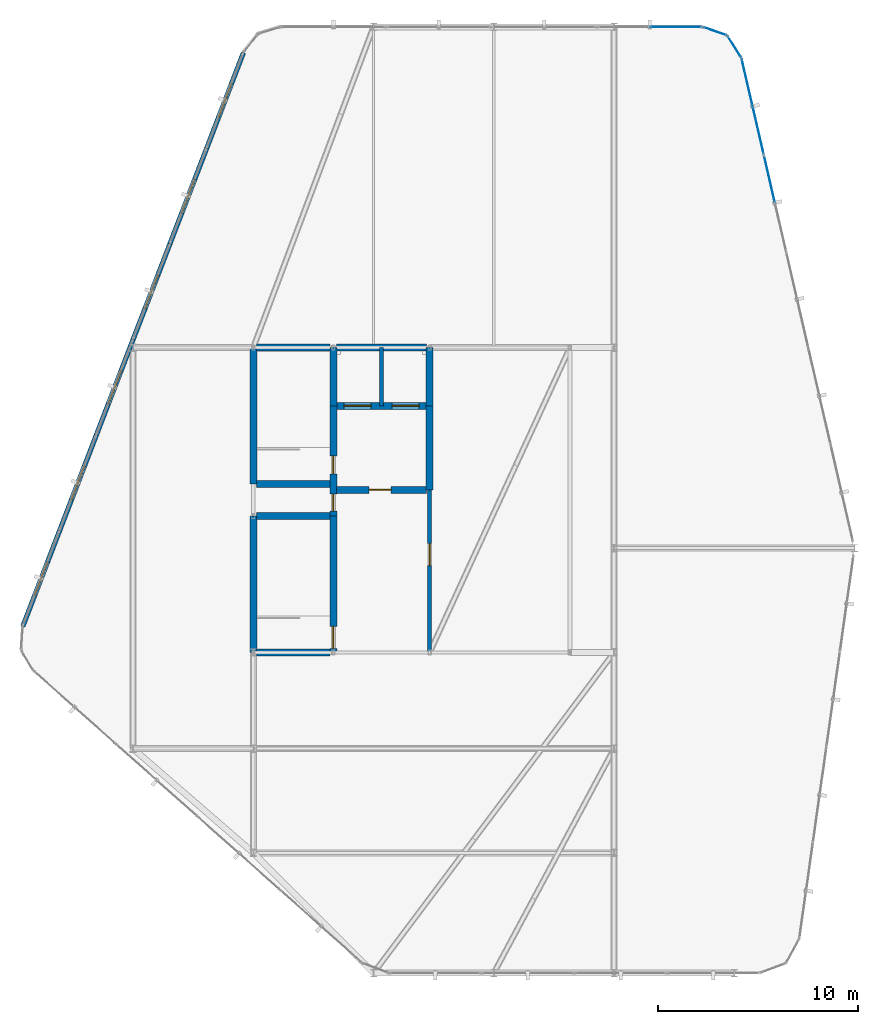
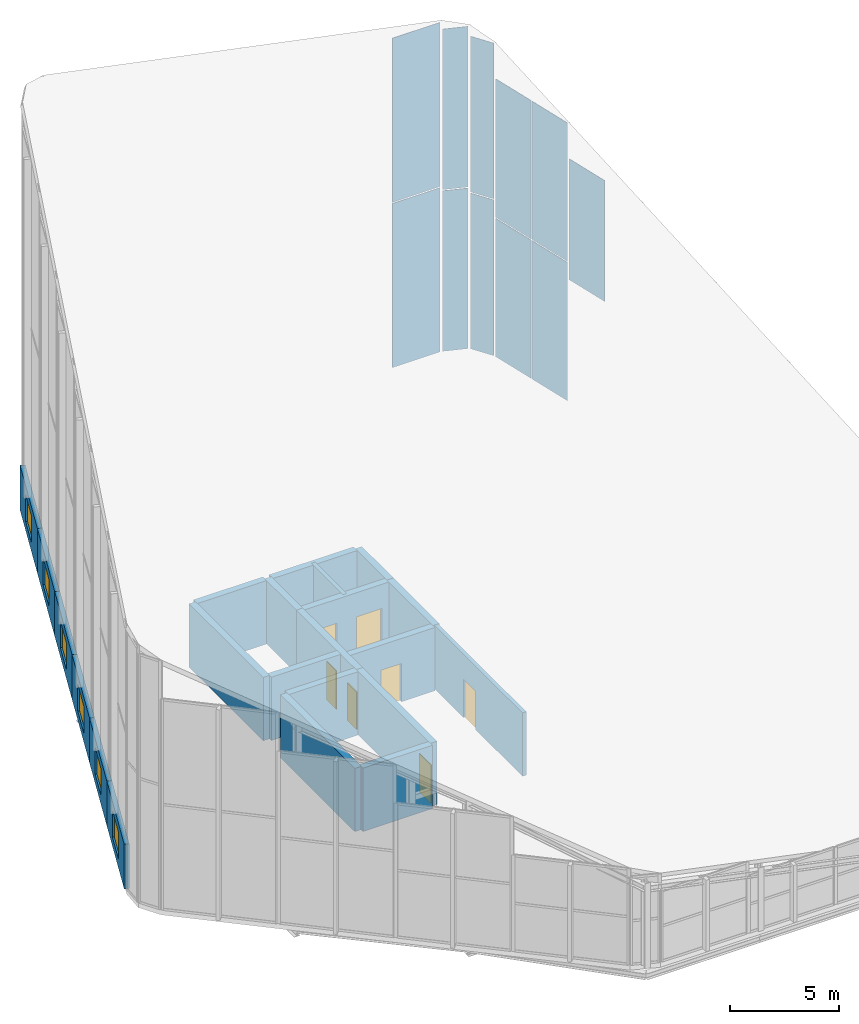
# One storey, part 73 of 74: 22 walls, 11 plates, 7 doors, 6 windows, 13 openings, 5 elements without a shape of their own.
"""IFC4 building model written with IfcOpenShell, lengths in metres."""

from ifc_helpers import new_model, si_unit, direction, frame, frame_2d, origin, origin_2d, place, context, subcontext, project, spatial, rectangle, extrude, material, layer, layer_set, type_object, element, fill, aggregate, save


model = new_model("IFC4")

# Units and contexts
model_context = context("Model", 3, precision=1e-05, world=origin(), true_north=direction((0.0, 1.0)))
body_context = subcontext(model_context, "Body", "Model", "MODEL_VIEW")
ifc_project = project(units=[si_unit("LENGTHUNIT", "METRE"), si_unit("AREAUNIT", "SQUARE_METRE"), si_unit("VOLUMEUNIT", "CUBIC_METRE"), si_unit("PLANEANGLEUNIT", "RADIAN"), si_unit("MASSUNIT", "GRAM", prefix="KILO")], contexts=[model_context])

# Site, building, storey
site_placement = place(None, origin())
site = spatial("IfcSite", under=ifc_project, at=site_placement, CompositionType="ELEMENT")
building_placement = place(site_placement, origin())
building = spatial("IfcBuilding", under=site, at=building_placement, Name="Keshet Zoharim Tower", CompositionType="ELEMENT")
storey_placement = place(building_placement, frame((0.0, 0.0, 320.0)))
storey = spatial("IfcBuildingStorey", under=building, at=storey_placement, Name="RF", CompositionType="ELEMENT", Elevation=320.0)

# Curtain wall, plates
ifc_material_1 = material(Name="Aluminium 6063-T6", Category="aluminium")
ifc_layer_1 = layer(ifc_material_1, 0.260009765625)
ifc_layer_set_1 = layer_set([ifc_layer_1], Name="Aluminium 6063-T6")
curtain_wall_type = type_object("IfcCurtainWallType", Name="CW-SYS-06", PredefinedType="NOTDEFINED", material=ifc_layer_set_1)
curtain_wall_1_placement = place(storey_placement, origin())
curtain_wall_1 = element("IfcCurtainWall", 1, at=curtain_wall_1_placement, inside=storey, type_object=curtain_wall_type, Name="Slanted Crown Curtain Wall 14", PredefinedType="NOTDEFINED")
ifc_material_2 = material(Name="Insulated Low-E Clear Glass", Category="glass")
ifc_layer_2 = layer(ifc_material_2, 0.028076171875)
ifc_layer_set_2 = layer_set([ifc_layer_2], Name="Insulated Low-E Clear Glass")
plate_type = type_object("IfcPlateType", Name="CWP-03", PredefinedType="CURTAIN_PANEL", material=ifc_layer_set_2)
plate_1_placement = place(storey_placement, frame((36.077880859375, 53.89990234375, 0.06494140625), z_axis=(0.0, 0.0, 1.0), x_axis=(1.0, 0.0, 0.0)))
plate_1 = element("IfcPlate", 2, at=plate_1_placement, type_object=plate_type, Name="CW-06 panel 2.1", PredefinedType="CURTAIN_PANEL", context=body_context, shape_type="SweptSolid", body=[
    extrude(rectangle(XDim=2.531982421875, YDim=0.028076171875, at=origin_2d()), origin(), (0.0, 0.0, 1.0), 9.189453125),
])
plate_2_placement = place(storey_placement, frame((36.077880859375, 53.89990234375, 9.319580078125), z_axis=(0.0, 0.0, 1.0), x_axis=(1.0, 0.0, 0.0)))
plate_2 = element("IfcPlate", 3, at=plate_2_placement, type_object=plate_type, Name="CW-06 panel 2.2", PredefinedType="CURTAIN_PANEL", context=body_context, shape_type="SweptSolid", body=[
    extrude(rectangle(XDim=2.531982421875, YDim=0.028076171875, at=origin_2d()), origin(), (0.0, 0.0, 1.0), 9.189453125),
])
aggregate(curtain_wall_1, [plate_1, plate_2])

curtain_wall_2_placement = place(storey_placement, origin())
curtain_wall_2 = element("IfcCurtainWall", 4, at=curtain_wall_2_placement, inside=storey, type_object=curtain_wall_type, Name="Slanted Crown Curtain Wall 15", PredefinedType="NOTDEFINED")
plate_3_placement = place(storey_placement, frame((38.031494140625, 53.6826171875, 0.06494140625), z_axis=(0.0, 0.0, 1.0), x_axis=(0.944035542119, -0.329843743636, 0.0)))
plate_3 = element("IfcPlate", 5, at=plate_3_placement, type_object=plate_type, Name="CW-06 panel 1.1", PredefinedType="CURTAIN_PANEL", context=body_context, shape_type="SweptSolid", body=[
    extrude(rectangle(XDim=1.188720703125, YDim=0.028076171875, at=origin_2d()), origin(), (0.0, 0.0, 1.0), 8.984619140625),
])
plate_4_placement = place(storey_placement, frame((38.031494140625, 53.6826171875, 9.1142578125), z_axis=(0.0, 0.0, 1.0), x_axis=(0.944035542119, -0.329843743636, 0.0)))
plate_4 = element("IfcPlate", 6, at=plate_4_placement, type_object=plate_type, Name="CW-06 panel 1.2", PredefinedType="CURTAIN_PANEL", context=body_context, shape_type="SweptSolid", body=[
    extrude(rectangle(XDim=1.188720703125, YDim=0.028076171875, at=origin_2d()), origin(), (0.0, 0.0, 1.0), 8.985595703125),
])
aggregate(curtain_wall_2, [plate_3, plate_4])

curtain_wall_3_placement = place(storey_placement, origin())
curtain_wall_3 = element("IfcCurtainWall", 7, at=curtain_wall_3_placement, inside=storey, type_object=curtain_wall_type, Name="Slanted Crown Curtain Wall 16", PredefinedType="NOTDEFINED")
plate_5_placement = place(storey_placement, frame((39.006103515625, 52.907470703125, 0.06494140625), z_axis=(0.0, 0.0, 1.0), x_axis=(0.533878858502, -0.845560976183, 0.0)))
plate_5 = element("IfcPlate", 8, at=plate_5_placement, type_object=plate_type, Name="CW-06 panel 1.1", PredefinedType="CURTAIN_PANEL", context=body_context, shape_type="SweptSolid", body=[
    extrude(rectangle(XDim=1.188720703125, YDim=0.028076171875, at=origin_2d()), origin(), (0.0, 0.0, 1.0), 8.714599609375),
])
plate_6_placement = place(storey_placement, frame((39.006103515625, 52.907470703125, 8.84423828125), z_axis=(0.0, 0.0, 1.0), x_axis=(0.533878858502, -0.845560976183, 0.0)))
plate_6 = element("IfcPlate", 9, at=plate_6_placement, type_object=plate_type, Name="CW-06 panel 1.2", PredefinedType="CURTAIN_PANEL", context=body_context, shape_type="SweptSolid", body=[
    extrude(rectangle(XDim=1.188720703125, YDim=0.028076171875, at=origin_2d()), origin(), (0.0, 0.0, 1.0), 8.714599609375),
])
aggregate(curtain_wall_3, [plate_5, plate_6])

curtain_wall_4_placement = place(storey_placement, origin())
curtain_wall_4 = element("IfcCurtainWall", 10, at=curtain_wall_4_placement, inside=storey, type_object=curtain_wall_type, Name="Slanted Crown Curtain Wall 17", PredefinedType="NOTDEFINED")
plate_7_placement = place(storey_placement, frame((39.6396484375, 51.129638671875, 0.06494140625), z_axis=(0.0, 0.0, 1.0), x_axis=(0.224889047025, -0.974384378225, 0.0)))
plate_7 = element("IfcPlate", 11, at=plate_7_placement, type_object=plate_type, Name="CW-06 panel 1.1", PredefinedType="CURTAIN_PANEL", context=body_context, shape_type="SweptSolid", body=[
    extrude(rectangle(XDim=2.374755859375, YDim=0.028076171875, at=origin_2d()), origin(), (0.0, 0.0, 1.0), 7.741455078125),
])
plate_8_placement = place(storey_placement, frame((39.6396484375, 51.129638671875, 7.87158203125), z_axis=(0.0, 0.0, 1.0), x_axis=(0.224889047025, -0.974384378225, 0.0)))
plate_8 = element("IfcPlate", 12, at=plate_8_placement, type_object=plate_type, Name="CW-06 panel 1.2", PredefinedType="CURTAIN_PANEL", context=body_context, shape_type="SweptSolid", body=[
    extrude(rectangle(XDim=2.374755859375, YDim=0.028076171875, at=origin_2d()), origin(), (0.0, 0.0, 1.0), 7.742431640625),
])
plate_9_placement = place(storey_placement, frame((40.188232421875, 48.75244140625, 0.06494140625), z_axis=(0.0, 0.0, 1.0), x_axis=(0.224889047025, -0.974384378225, 0.0)))
plate_9 = element("IfcPlate", 13, at=plate_9_placement, type_object=plate_type, Name="CW-06 panel 2.1", PredefinedType="CURTAIN_PANEL", context=body_context, shape_type="SweptSolid", body=[
    extrude(rectangle(XDim=2.374755859375, YDim=0.028076171875, at=origin_2d()), origin(), (0.0, 0.0, 1.0), 7.741455078125),
])
plate_10_placement = place(storey_placement, frame((40.188232421875, 48.75244140625, 7.87158203125), z_axis=(0.0, 0.0, 1.0), x_axis=(0.224889047025, -0.974384378225, 0.0)))
plate_10 = element("IfcPlate", 14, at=plate_10_placement, type_object=plate_type, Name="CW-06 panel 2.2", PredefinedType="CURTAIN_PANEL", context=body_context, shape_type="SweptSolid", body=[
    extrude(rectangle(XDim=2.374755859375, YDim=0.028076171875, at=origin_2d()), origin(), (0.0, 0.0, 1.0), 7.742431640625),
])
aggregate(curtain_wall_4, [plate_7, plate_8, plate_9, plate_10])

# Curtain wall, plate
curtain_wall_5_placement = place(storey_placement, origin())
curtain_wall_5 = element("IfcCurtainWall", 15, at=curtain_wall_5_placement, inside=storey, type_object=curtain_wall_type, Name="Slanted Crown Curtain Wall 18", PredefinedType="NOTDEFINED")
plate_11_placement = place(storey_placement, frame((40.75146484375, 46.31201171875, 6.900390625), z_axis=(0.0, 0.0, 1.0), x_axis=(0.224741314643, -0.974418463235, 0.0)))
plate_11 = element("IfcPlate", 16, at=plate_11_placement, type_object=plate_type, Name="CW-06 panel 1.2", PredefinedType="CURTAIN_PANEL", context=body_context, shape_type="SweptSolid", body=[
    extrude(rectangle(XDim=2.374267578125, YDim=0.028076171875, at=origin_2d()), origin(), (0.0, 0.0, 1.0), 6.76953125),
])
aggregate(curtain_wall_5, [plate_11])

# Walls
ifc_material_3 = material(Name="Concrete C60/75", Category="concrete")
ifc_layer_3 = layer(ifc_material_3, 0.35009765625)
ifc_layer_set_3 = layer_set([ifc_layer_3], Name="Concrete C60/75")
wall_type_1 = type_object("IfcWallType", Name="WL-CORE-350", PredefinedType="SHEAR", material=ifc_layer_set_3)
wall_1_placement = place(storey_placement, frame((15.0, 22.699951171875, 0.0), z_axis=(0.0, 0.0, 1.0), x_axis=(0.0, 1.0, 0.0)))
element("IfcWall", 17, at=wall_1_placement, inside=storey, type_object=wall_type_1, Name="RF Core Shear Wall 001", PredefinedType="SHEAR", context=body_context, shape_type="SweptSolid", body=[
    extrude(rectangle(XDim=6.800048828125, YDim=0.35009765625, at=frame_2d((3.39990234375, 0.0))), origin(), (0.0, 0.0, 1.0), 3.550048828125),
])
wall_2_placement = place(storey_placement, frame((15.0, 31.10009765625, 0.0), z_axis=(0.0, 0.0, 1.0), x_axis=(0.0, 1.0, 0.0)))
element("IfcWall", 18, at=wall_2_placement, inside=storey, type_object=wall_type_1, Name="RF Core Shear Wall 002", PredefinedType="SHEAR", context=body_context, shape_type="SweptSolid", body=[
    extrude(rectangle(XDim=6.7998046875, YDim=0.35009765625, at=frame_2d((3.39990234375, 0.0))), origin(), (0.0, 0.0, 1.0), 3.550048828125),
])

# Wall, opening, door
wall_3_placement = place(storey_placement, frame((19.0, 22.699951171875, 0.0), z_axis=(0.0, 0.0, 1.0), x_axis=(0.0, 1.0, 0.0)))
wall_3 = element("IfcWall", 19, at=wall_3_placement, inside=storey, type_object=wall_type_1, Name="RF Core Shear Wall 003", PredefinedType="SHEAR", context=body_context, shape_type="SweptSolid", body=[
    extrude(rectangle(XDim=6.800048828125, YDim=0.35009765625, at=frame_2d((3.39990234375, 0.0))), origin(), (0.0, 0.0, 1.0), 3.550048828125),
])
opening_1_placement = place(wall_3_placement, frame((0.195068359375, 0.0, 0.0)))
opening_1 = element("IfcOpeningElement", 20, at=opening_1_placement, cuts=wall_3, Name="Opening D-F611", PredefinedType="OPENING", context=body_context, shape_type="SweptSolid", body=[
    extrude(rectangle(XDim=1.10009765625, YDim=2.14990234375, at=frame_2d((0.550048828125, 1.074951171875))), frame((0.0, 0.18505859375, 0.0), z_axis=(0.0, -1.0, 0.0), x_axis=(1.0, 0.0, 0.0)), (0.0, 0.0, 1.0), 0.3701171875),
])
ifc_material_4 = material(Name="Hardwood Timber", Category="wood")
door_type_1 = type_object("IfcDoorType", Name="DR-FD60-110", OperationType="NOTDEFINED", PredefinedType="DOOR", material=ifc_material_4)
door_1_placement = place(opening_1_placement, frame((1.10009765625, 0.0, 0.0), z_axis=(0.0, 0.0, 1.0), x_axis=(-1.0, 0.0, 0.0)))
door_1 = element("IfcDoor", 21, at=door_1_placement, inside=storey, type_object=door_type_1, Name="Crown Exit Stair ST-01 Door", OperationType="SINGLE_SWING_RIGHT", OverallHeight=2.14990234375, OverallWidth=1.10009765625, PredefinedType="DOOR", context=body_context, shape_type="SweptSolid", body=[
    extrude(rectangle(XDim=1.10009765625, YDim=2.14990234375, at=frame_2d((0.550048828125, 1.074951171875))), frame((0.0, 0.02490234375, 0.0), z_axis=(0.0, -1.0, 0.0), x_axis=(1.0, 0.0, 0.0)), (0.0, 0.0, 1.0), 0.050048828125),
])
fill(opening_1, door_1)

# Wall, openings, doors
wall_4_placement = place(storey_placement, frame((19.0, 29.5, 0.0), z_axis=(0.0, 0.0, 1.0), x_axis=(0.0, 1.0, 0.0)))
wall_4 = element("IfcWall", 22, at=wall_4_placement, inside=storey, type_object=wall_type_1, Name="RF Core Shear Wall 004", PredefinedType="SHEAR", context=body_context, shape_type="SweptSolid", body=[
    extrude(rectangle(XDim=5.5, YDim=0.35009765625, at=frame_2d((2.75, 0.0))), origin(), (0.0, 0.0, 1.0), 3.550048828125),
])
opening_2_placement = place(wall_4_placement, frame((0.241943359375, 0.0, 0.0)))
opening_2 = element("IfcOpeningElement", 23, at=opening_2_placement, cuts=wall_4, Name="Opening D-RS85", PredefinedType="OPENING", context=body_context, shape_type="SweptSolid", body=[
    extrude(rectangle(XDim=0.85009765625, YDim=2.10009765625, at=frame_2d((0.425048828125, 1.050048828125))), frame((0.0, 0.18505859375, 0.0), z_axis=(0.0, -1.0, 0.0), x_axis=(1.0, 0.0, 0.0)), (0.0, 0.0, 1.0), 0.3701171875),
])
opening_3_placement = place(wall_4_placement, frame((2.10009765625, 0.0, 0.0)))
opening_3 = element("IfcOpeningElement", 24, at=opening_3_placement, cuts=wall_4, Name="Opening D-F690", PredefinedType="OPENING", context=body_context, shape_type="SweptSolid", body=[
    extrude(rectangle(XDim=0.89990234375, YDim=2.14990234375, at=frame_2d((0.449951171875, 1.074951171875))), frame((0.0, 0.18505859375, 0.0), z_axis=(0.0, -1.0, 0.0), x_axis=(1.0, 0.0, 0.0)), (0.0, 0.0, 1.0), 0.3701171875),
])
door_type_2 = type_object("IfcDoorType", Name="DR-FD60-090", OperationType="NOTDEFINED", PredefinedType="DOOR", material=ifc_material_4)
door_2_placement = place(opening_3_placement, frame((0.89990234375, 0.0, 0.0), z_axis=(0.0, 0.0, 1.0), x_axis=(-1.0, 0.0, 0.0)))
door_2 = element("IfcDoor", 25, at=door_2_placement, inside=storey, type_object=door_type_2, Name="Crown Exit Stair ST-02 Door", OperationType="SINGLE_SWING_RIGHT", OverallHeight=2.14990234375, OverallWidth=0.89990234375, PredefinedType="DOOR", context=body_context, shape_type="SweptSolid", body=[
    extrude(rectangle(XDim=0.89990234375, YDim=2.14990234375, at=frame_2d((0.449951171875, 1.074951171875))), frame((0.0, 0.02490234375, 0.0), z_axis=(0.0, -1.0, 0.0), x_axis=(1.0, 0.0, 0.0)), (0.0, 0.0, 1.0), 0.050048828125),
])
fill(opening_3, door_2)
door_type_3 = type_object("IfcDoorType", Name="DR-RIS-085", OperationType="NOTDEFINED", PredefinedType="DOOR", material=ifc_material_4)
door_3_placement = place(opening_2_placement, origin())
door_3 = element("IfcDoor", 26, at=door_3_placement, inside=storey, type_object=door_type_3, Name="Electrical Riser Shaft Access Door", OperationType="SINGLE_SWING_LEFT", OverallHeight=2.10009765625, OverallWidth=0.85009765625, PredefinedType="DOOR", context=body_context, shape_type="SweptSolid", body=[
    extrude(rectangle(XDim=0.85009765625, YDim=2.10009765625, at=frame_2d((0.425048828125, 1.050048828125))), frame((0.0, 0.02490234375, 0.0), z_axis=(0.0, -1.0, 0.0), x_axis=(1.0, 0.0, 0.0)), (0.0, 0.0, 1.0), 0.050048828125),
])
fill(opening_2, door_3)

# Walls
wall_5_placement = place(storey_placement, frame((19.0, 35.0, 0.0), z_axis=(0.0, 0.0, 1.0), x_axis=(0.0, 1.0, 0.0)))
element("IfcWall", 27, at=wall_5_placement, inside=storey, type_object=wall_type_1, Name="RF Core Shear Wall 005", PredefinedType="SHEAR", context=body_context, shape_type="SweptSolid", body=[
    extrude(rectangle(XDim=2.89990234375, YDim=0.35009765625, at=frame_2d((1.449951171875, 0.0))), origin(), (0.0, 0.0, 1.0), 3.550048828125),
])
wall_6_placement = place(storey_placement, frame((23.800048828125, 30.800048828125, 0.0), z_axis=(0.0, 0.0, 1.0), x_axis=(0.0, 1.0, 0.0)))
element("IfcWall", 28, at=wall_6_placement, inside=storey, type_object=wall_type_1, Name="RF Core Shear Wall 008", PredefinedType="SHEAR", context=body_context, shape_type="SweptSolid", body=[
    extrude(rectangle(XDim=4.199951171875, YDim=0.35009765625, at=frame_2d((2.10009765625, 0.0))), origin(), (0.0, 0.0, 1.0), 3.550048828125),
])
wall_7_placement = place(storey_placement, frame((23.800048828125, 35.0, 0.0), z_axis=(0.0, 0.0, 1.0), x_axis=(0.0, 1.0, 0.0)))
element("IfcWall", 29, at=wall_7_placement, inside=storey, type_object=wall_type_1, Name="RF Core Shear Wall 009", PredefinedType="SHEAR", context=body_context, shape_type="SweptSolid", body=[
    extrude(rectangle(XDim=2.89990234375, YDim=0.35009765625, at=frame_2d((1.449951171875, 0.0))), origin(), (0.0, 0.0, 1.0), 3.550048828125),
])
for number, where, z_axis, x_axis, name in (
    (30, (15.159912109375, 22.699951171875, 0.0), (0.0, 0.0, 1.0), (1.0, 0.0, 0.0), "RF Core Shear Wall 010"),
    (31, (15.159912109375, 29.5, 0.0), (0.0, 0.0, 1.0), (1.0, 0.0, 0.0), "RF Core Shear Wall 011"),
):
    element("IfcWall", number, at=place(storey_placement, frame(where, z_axis=z_axis, x_axis=x_axis)), inside=storey, type_object=wall_type_1, Name=name, PredefinedType="SHEAR", context=body_context, shape_type="SweptSolid", body=[
        extrude(rectangle(XDim=3.68017578125, YDim=0.35009765625, at=frame_2d((1.840087890625, 0.0))), origin(), (0.0, 0.0, 1.0), 3.550048828125),
    ])

# Wall, opening, door
wall_8_placement = place(storey_placement, frame((19.159912109375, 30.800048828125, 0.0), z_axis=(0.0, 0.0, 1.0), x_axis=(1.0, 0.0, 0.0)))
wall_8 = element("IfcWall", 32, at=wall_8_placement, inside=storey, type_object=wall_type_1, Name="RF Core Shear Wall 012", PredefinedType="SHEAR", context=body_context, shape_type="SweptSolid", body=[
    extrude(rectangle(XDim=4.47998046875, YDim=0.35009765625, at=frame_2d((2.239990234375, 0.0))), origin(), (0.0, 0.0, 1.0), 3.550048828125),
])
opening_4_placement = place(wall_8_placement, frame((1.618896484375, 0.0, 0.0)))
opening_4 = element("IfcOpeningElement", 33, at=opening_4_placement, cuts=wall_8, Name="Opening D-F611", PredefinedType="OPENING", context=body_context, shape_type="SweptSolid", body=[
    extrude(rectangle(XDim=1.10009765625, YDim=2.14990234375, at=frame_2d((0.550048828125, 1.074951171875))), frame((0.0, 0.18505859375, 0.0), z_axis=(0.0, -1.0, 0.0), x_axis=(1.0, 0.0, 0.0)), (0.0, 0.0, 1.0), 0.3701171875),
])
door_4_placement = place(opening_4_placement, frame((1.10009765625, 0.0, 0.0), z_axis=(0.0, 0.0, 1.0), x_axis=(-1.0, 0.0, 0.0)))
door_4 = element("IfcDoor", 34, at=door_4_placement, inside=storey, type_object=door_type_1, Name="Crown Firefighting Lobby South Door", OperationType="SINGLE_SWING_RIGHT", OverallHeight=2.14990234375, OverallWidth=1.10009765625, PredefinedType="DOOR", context=body_context, shape_type="SweptSolid", body=[
    extrude(rectangle(XDim=1.10009765625, YDim=2.14990234375, at=frame_2d((0.550048828125, 1.074951171875))), frame((0.0, 0.02490234375, 0.0), z_axis=(0.0, -1.0, 0.0), x_axis=(1.0, 0.0, 0.0)), (0.0, 0.0, 1.0), 0.050048828125),
])
fill(opening_4, door_4)

# Wall
wall_9_placement = place(storey_placement, frame((15.159912109375, 31.10009765625, 0.0), z_axis=(0.0, 0.0, 1.0), x_axis=(1.0, 0.0, 0.0)))
element("IfcWall", 35, at=wall_9_placement, inside=storey, type_object=wall_type_1, Name="RF Core Shear Wall 013", PredefinedType="SHEAR", context=body_context, shape_type="SweptSolid", body=[
    extrude(rectangle(XDim=3.68017578125, YDim=0.35009765625, at=frame_2d((1.840087890625, 0.0))), origin(), (0.0, 0.0, 1.0), 3.550048828125),
])

# Wall, openings, doors
wall_10_placement = place(storey_placement, frame((19.159912109375, 35.0, 0.0), z_axis=(0.0, 0.0, 1.0), x_axis=(1.0, 0.0, 0.0)))
wall_10 = element("IfcWall", 36, at=wall_10_placement, inside=storey, type_object=wall_type_1, Name="RF Core Shear Wall 014", PredefinedType="SHEAR", context=body_context, shape_type="SweptSolid", body=[
    extrude(rectangle(XDim=4.47998046875, YDim=0.35009765625, at=frame_2d((2.239990234375, 0.0))), origin(), (0.0, 0.0, 1.0), 3.550048828125),
])
opening_5_placement = place(wall_10_placement, frame((0.364990234375, 0.0, 0.0)))
opening_5 = element("IfcOpeningElement", 37, at=opening_5_placement, cuts=wall_10, Name="Opening LD-02", PredefinedType="OPENING", context=body_context, shape_type="SweptSolid", body=[
    extrude(rectangle(XDim=1.35009765625, YDim=2.199951171875, at=frame_2d((0.675048828125, 1.10009765625))), frame((0.0, 0.18505859375, 0.0), z_axis=(0.0, -1.0, 0.0), x_axis=(1.0, 0.0, 0.0)), (0.0, 0.0, 1.0), 0.3701171875),
])
opening_6_placement = place(wall_10_placement, frame((2.764892578125, 0.0, 0.0)))
opening_6 = element("IfcOpeningElement", 38, at=opening_6_placement, cuts=wall_10, Name="Opening LD-02", PredefinedType="OPENING", context=body_context, shape_type="SweptSolid", body=[
    extrude(rectangle(XDim=1.35009765625, YDim=2.199951171875, at=frame_2d((0.675048828125, 1.10009765625))), frame((0.0, 0.18505859375, 0.0), z_axis=(0.0, -1.0, 0.0), x_axis=(1.0, 0.0, 0.0)), (0.0, 0.0, 1.0), 0.3701171875),
])
ifc_material_5 = material(Name="Steel S355", Category="steel")
door_type_4 = type_object("IfcDoorType", Name="DR-LD02-135", OperationType="DOUBLE_DOOR_SLIDING", PredefinedType="DOOR", material=ifc_material_5)
door_5_placement = place(opening_5_placement, origin())
door_5 = element("IfcDoor", 39, at=door_5_placement, inside=storey, type_object=door_type_4, Name="RF Firefighting Lift Landing Door FF-01", OperationType="DOUBLE_DOOR_SLIDING", OverallHeight=2.199951171875, OverallWidth=1.35009765625, PredefinedType="DOOR", context=body_context, shape_type="SweptSolid", body=[
    extrude(rectangle(XDim=1.35009765625, YDim=2.199951171875, at=frame_2d((0.675048828125, 1.10009765625))), frame((0.0, 0.02490234375, 0.0), z_axis=(0.0, -1.0, 0.0), x_axis=(1.0, 0.0, 0.0)), (0.0, 0.0, 1.0), 0.050048828125),
])
fill(opening_5, door_5)
door_6_placement = place(opening_6_placement, origin())
door_6 = element("IfcDoor", 40, at=door_6_placement, inside=storey, type_object=door_type_4, Name="RF Firefighting Lift Landing Door FF-02", OperationType="DOUBLE_DOOR_SLIDING", OverallHeight=2.199951171875, OverallWidth=1.35009765625, PredefinedType="DOOR", context=body_context, shape_type="SweptSolid", body=[
    extrude(rectangle(XDim=1.35009765625, YDim=2.199951171875, at=frame_2d((0.675048828125, 1.10009765625))), frame((0.0, 0.02490234375, 0.0), z_axis=(0.0, -1.0, 0.0), x_axis=(1.0, 0.0, 0.0)), (0.0, 0.0, 1.0), 0.050048828125),
])
fill(opening_6, door_6)

# Walls
wall_11_placement = place(storey_placement, frame((15.159912109375, 37.89990234375, 0.0), z_axis=(0.0, 0.0, 1.0), x_axis=(1.0, 0.0, 0.0)))
element("IfcWall", 41, at=wall_11_placement, inside=storey, type_object=wall_type_1, Name="RF Core Shear Wall 015", PredefinedType="SHEAR", context=body_context, shape_type="SweptSolid", body=[
    extrude(rectangle(XDim=3.68017578125, YDim=0.35009765625, at=frame_2d((1.840087890625, 0.0))), origin(), (0.0, 0.0, 1.0), 3.550048828125),
])
wall_12_placement = place(storey_placement, frame((19.159912109375, 37.89990234375, 0.0), z_axis=(0.0, 0.0, 1.0), x_axis=(1.0, 0.0, 0.0)))
element("IfcWall", 42, at=wall_12_placement, inside=storey, type_object=wall_type_1, Name="RF Core Shear Wall 016", PredefinedType="SHEAR", context=body_context, shape_type="SweptSolid", body=[
    extrude(rectangle(XDim=4.47998046875, YDim=0.35009765625, at=frame_2d((2.239990234375, 0.0))), origin(), (0.0, 0.0, 1.0), 3.550048828125),
])

# Wall, opening, window
ifc_material_6 = material(Name="Concrete C50/60 precast", Category="concrete")
ifc_layer_4 = layer(ifc_material_6, 0.239990234375)
ifc_layer_set_4 = layer_set([ifc_layer_4], Name="Concrete C50/60 precast")
wall_type_2 = type_object("IfcWallType", Name="WL-CRN-240", PredefinedType="STANDARD", material=ifc_layer_set_4)
wall_13_placement = place(storey_placement, frame((3.4970703125, 23.992919921875, 0.0), z_axis=(0.0, 0.0, 1.0), x_axis=(0.358972678324, 0.933348068095, 0.0)))
wall_13 = element("IfcWall", 43, at=wall_13_placement, inside=storey, type_object=wall_type_2, Name="Crown Clerestory Wall 01", PredefinedType="STANDARD", context=body_context, shape_type="SweptSolid", body=[
    extrude(rectangle(XDim=5.11181640625, YDim=0.239990234375, at=frame_2d((2.555908203125, 0.0))), origin(), (0.0, 0.0, 1.0), 2.5),
])
opening_7_placement = place(wall_13_placement, frame((1.656005859375, 0.0, 0.5)))
opening_7 = element("IfcOpeningElement", 44, at=opening_7_placement, cuts=wall_13, Name="Opening SK-18", PredefinedType="OPENING", context=body_context, shape_type="SweptSolid", body=[
    extrude(rectangle(XDim=1.800048828125, YDim=1.5, at=frame_2d((0.89990234375, 0.75))), frame((0.0, 0.1298828125, 0.0), z_axis=(0.0, -1.0, 0.0), x_axis=(1.0, 0.0, 0.0)), (0.0, 0.0, 1.0), 0.260009765625),
])
window_type = type_object("IfcWindowType", Name="WN-SKY-180", PartitioningType="SINGLE_PANEL", PredefinedType="SKYLIGHT", material=ifc_material_2)
window_1_placement = place(opening_7_placement, origin())
window_1 = element("IfcWindow", 45, at=window_1_placement, inside=storey, type_object=window_type, Name="Crown Clerestory Skylight 01", OverallHeight=1.5, OverallWidth=1.800048828125, PartitioningType="SINGLE_PANEL", PredefinedType="SKYLIGHT", context=body_context, shape_type="SweptSolid", body=[
    extrude(rectangle(XDim=1.800048828125, YDim=1.5, at=frame_2d((0.89990234375, 0.75))), frame((0.0, 0.030029296875, 0.0), z_axis=(0.0, -1.0, 0.0), x_axis=(1.0, 0.0, 0.0)), (0.0, 0.0, 1.0), 0.06005859375),
])
fill(opening_7, window_1)

wall_14_placement = place(storey_placement, frame((5.33203125, 28.763916015625, 0.0), z_axis=(0.0, 0.0, 1.0), x_axis=(0.358972678324, 0.933348068095, 0.0)))
wall_14 = element("IfcWall", 46, at=wall_14_placement, inside=storey, type_object=wall_type_2, Name="Crown Clerestory Wall 02", PredefinedType="STANDARD", context=body_context, shape_type="SweptSolid", body=[
    extrude(rectangle(XDim=5.11181640625, YDim=0.239990234375, at=frame_2d((2.555908203125, 0.0))), origin(), (0.0, 0.0, 1.0), 2.5),
])
opening_8_placement = place(wall_14_placement, frame((1.656005859375, 0.0, 0.5)))
opening_8 = element("IfcOpeningElement", 47, at=opening_8_placement, cuts=wall_14, Name="Opening SK-18", PredefinedType="OPENING", context=body_context, shape_type="SweptSolid", body=[
    extrude(rectangle(XDim=1.800048828125, YDim=1.5, at=frame_2d((0.89990234375, 0.75))), frame((0.0, 0.1298828125, 0.0), z_axis=(0.0, -1.0, 0.0), x_axis=(1.0, 0.0, 0.0)), (0.0, 0.0, 1.0), 0.260009765625),
])
window_2_placement = place(opening_8_placement, origin())
window_2 = element("IfcWindow", 48, at=window_2_placement, inside=storey, type_object=window_type, Name="Crown Clerestory Skylight 02", OverallHeight=1.5, OverallWidth=1.800048828125, PartitioningType="SINGLE_PANEL", PredefinedType="SKYLIGHT", context=body_context, shape_type="SweptSolid", body=[
    extrude(rectangle(XDim=1.800048828125, YDim=1.5, at=frame_2d((0.89990234375, 0.75))), frame((0.0, 0.030029296875, 0.0), z_axis=(0.0, -1.0, 0.0), x_axis=(1.0, 0.0, 0.0)), (0.0, 0.0, 1.0), 0.06005859375),
])
fill(opening_8, window_2)

wall_15_placement = place(storey_placement, frame((7.1669921875, 33.534912109375, 0.0), z_axis=(0.0, 0.0, 1.0), x_axis=(0.358972678324, 0.933348068095, 0.0)))
wall_15 = element("IfcWall", 49, at=wall_15_placement, inside=storey, type_object=wall_type_2, Name="Crown Clerestory Wall 03", PredefinedType="STANDARD", context=body_context, shape_type="SweptSolid", body=[
    extrude(rectangle(XDim=5.11181640625, YDim=0.239990234375, at=frame_2d((2.555908203125, 0.0))), origin(), (0.0, 0.0, 1.0), 2.5),
])
opening_9_placement = place(wall_15_placement, frame((1.656005859375, 0.0, 0.5)))
opening_9 = element("IfcOpeningElement", 50, at=opening_9_placement, cuts=wall_15, Name="Opening SK-18", PredefinedType="OPENING", context=body_context, shape_type="SweptSolid", body=[
    extrude(rectangle(XDim=1.800048828125, YDim=1.5, at=frame_2d((0.89990234375, 0.75))), frame((0.0, 0.1298828125, 0.0), z_axis=(0.0, -1.0, 0.0), x_axis=(1.0, 0.0, 0.0)), (0.0, 0.0, 1.0), 0.260009765625),
])
window_3_placement = place(opening_9_placement, origin())
window_3 = element("IfcWindow", 51, at=window_3_placement, inside=storey, type_object=window_type, Name="Crown Clerestory Skylight 03", OverallHeight=1.5, OverallWidth=1.800048828125, PartitioningType="SINGLE_PANEL", PredefinedType="SKYLIGHT", context=body_context, shape_type="SweptSolid", body=[
    extrude(rectangle(XDim=1.800048828125, YDim=1.5, at=frame_2d((0.89990234375, 0.75))), frame((0.0, 0.030029296875, 0.0), z_axis=(0.0, -1.0, 0.0), x_axis=(1.0, 0.0, 0.0)), (0.0, 0.0, 1.0), 0.06005859375),
])
fill(opening_9, window_3)

wall_16_placement = place(storey_placement, frame((9.001953125, 38.305908203125, 0.0), z_axis=(0.0, 0.0, 1.0), x_axis=(0.359036697689, 0.933323443246, 0.0)))
wall_16 = element("IfcWall", 52, at=wall_16_placement, inside=storey, type_object=wall_type_2, Name="Crown Clerestory Wall 04", PredefinedType="STANDARD", context=body_context, shape_type="SweptSolid", body=[
    extrude(rectangle(XDim=5.11083984375, YDim=0.239990234375, at=frame_2d((2.555419921875, 0.0))), origin(), (0.0, 0.0, 1.0), 2.5),
])
opening_10_placement = place(wall_16_placement, frame((1.655029296875, 0.0, 0.5)))
opening_10 = element("IfcOpeningElement", 53, at=opening_10_placement, cuts=wall_16, Name="Opening SK-18", PredefinedType="OPENING", context=body_context, shape_type="SweptSolid", body=[
    extrude(rectangle(XDim=1.800048828125, YDim=1.5, at=frame_2d((0.89990234375, 0.75))), frame((0.0, 0.1298828125, 0.0), z_axis=(0.0, -1.0, 0.0), x_axis=(1.0, 0.0, 0.0)), (0.0, 0.0, 1.0), 0.260009765625),
])
window_4_placement = place(opening_10_placement, origin())
window_4 = element("IfcWindow", 54, at=window_4_placement, inside=storey, type_object=window_type, Name="Crown Clerestory Skylight 04", OverallHeight=1.5, OverallWidth=1.800048828125, PartitioningType="SINGLE_PANEL", PredefinedType="SKYLIGHT", context=body_context, shape_type="SweptSolid", body=[
    extrude(rectangle(XDim=1.800048828125, YDim=1.5, at=frame_2d((0.89990234375, 0.75))), frame((0.0, 0.030029296875, 0.0), z_axis=(0.0, -1.0, 0.0), x_axis=(1.0, 0.0, 0.0)), (0.0, 0.0, 1.0), 0.06005859375),
])
fill(opening_10, window_4)

wall_17_placement = place(storey_placement, frame((10.8369140625, 43.075927734375, 0.0), z_axis=(0.0, 0.0, 1.0), x_axis=(0.359014283821, 0.933332065244, 0.0)))
wall_17 = element("IfcWall", 55, at=wall_17_placement, inside=storey, type_object=wall_type_2, Name="Crown Clerestory Wall 05", PredefinedType="STANDARD", context=body_context, shape_type="SweptSolid", body=[
    extrude(rectangle(XDim=5.11181640625, YDim=0.239990234375, at=frame_2d((2.555908203125, 0.0))), origin(), (0.0, 0.0, 1.0), 2.5),
])
opening_11_placement = place(wall_17_placement, frame((1.656005859375, 0.0, 0.5)))
opening_11 = element("IfcOpeningElement", 56, at=opening_11_placement, cuts=wall_17, Name="Opening SK-18", PredefinedType="OPENING", context=body_context, shape_type="SweptSolid", body=[
    extrude(rectangle(XDim=1.800048828125, YDim=1.5, at=frame_2d((0.89990234375, 0.75))), frame((0.0, 0.1298828125, 0.0), z_axis=(0.0, -1.0, 0.0), x_axis=(1.0, 0.0, 0.0)), (0.0, 0.0, 1.0), 0.260009765625),
])
window_5_placement = place(opening_11_placement, origin())
window_5 = element("IfcWindow", 57, at=window_5_placement, inside=storey, type_object=window_type, Name="Crown Clerestory Skylight 05", OverallHeight=1.5, OverallWidth=1.800048828125, PartitioningType="SINGLE_PANEL", PredefinedType="SKYLIGHT", context=body_context, shape_type="SweptSolid", body=[
    extrude(rectangle(XDim=1.800048828125, YDim=1.5, at=frame_2d((0.89990234375, 0.75))), frame((0.0, 0.030029296875, 0.0), z_axis=(0.0, -1.0, 0.0), x_axis=(1.0, 0.0, 0.0)), (0.0, 0.0, 1.0), 0.06005859375),
])
fill(opening_11, window_5)

wall_18_placement = place(storey_placement, frame((12.672119140625, 47.846923828125, 0.0), z_axis=(0.0, 0.0, 1.0), x_axis=(0.358972678324, 0.933348068095, 0.0)))
wall_18 = element("IfcWall", 58, at=wall_18_placement, inside=storey, type_object=wall_type_2, Name="Crown Clerestory Wall 06", PredefinedType="STANDARD", context=body_context, shape_type="SweptSolid", body=[
    extrude(rectangle(XDim=5.11181640625, YDim=0.239990234375, at=frame_2d((2.555908203125, 0.0))), origin(), (0.0, 0.0, 1.0), 2.5),
])
opening_12_placement = place(wall_18_placement, frame((1.656005859375, 0.0, 0.5)))
opening_12 = element("IfcOpeningElement", 59, at=opening_12_placement, cuts=wall_18, Name="Opening SK-18", PredefinedType="OPENING", context=body_context, shape_type="SweptSolid", body=[
    extrude(rectangle(XDim=1.800048828125, YDim=1.5, at=frame_2d((0.89990234375, 0.75))), frame((0.0, 0.1298828125, 0.0), z_axis=(0.0, -1.0, 0.0), x_axis=(1.0, 0.0, 0.0)), (0.0, 0.0, 1.0), 0.260009765625),
])
window_6_placement = place(opening_12_placement, origin())
window_6 = element("IfcWindow", 60, at=window_6_placement, inside=storey, type_object=window_type, Name="Crown Clerestory Skylight 06", OverallHeight=1.5, OverallWidth=1.800048828125, PartitioningType="SINGLE_PANEL", PredefinedType="SKYLIGHT", context=body_context, shape_type="SweptSolid", body=[
    extrude(rectangle(XDim=1.800048828125, YDim=1.5, at=frame_2d((0.89990234375, 0.75))), frame((0.0, 0.030029296875, 0.0), z_axis=(0.0, -1.0, 0.0), x_axis=(1.0, 0.0, 0.0)), (0.0, 0.0, 1.0), 0.06005859375),
])
fill(opening_12, window_6)

# Wall
ifc_material_7 = material(Name="Concrete C50/60", Category="concrete")
ifc_layer_5 = layer(ifc_material_7, 0.199951171875)
ifc_layer_set_5 = layer_set([ifc_layer_5], Name="Concrete C50/60")
wall_type_3 = type_object("IfcWallType", Name="WL-FIRE-200", PredefinedType="STANDARD", material=ifc_layer_set_5)
wall_19_placement = place(storey_placement, frame((21.39990234375, 35.0, 0.0), z_axis=(0.0, 0.0, 1.0), x_axis=(0.0, 1.0, 0.0)))
element("IfcWall", 61, at=wall_19_placement, inside=storey, type_object=wall_type_3, Name="RF Interior Wall 006", PredefinedType="STANDARD", context=body_context, shape_type="SweptSolid", body=[
    extrude(rectangle(XDim=2.89990234375, YDim=0.199951171875, at=frame_2d((1.449951171875, 0.0))), origin(), (0.0, 0.0, 1.0), 3.550048828125),
])

# Wall, opening, door
wall_20_placement = place(storey_placement, frame((23.800048828125, 22.699951171875, 0.0), z_axis=(0.0, 0.0, 1.0), x_axis=(0.0, 1.0, 0.0)))
wall_20 = element("IfcWall", 62, at=wall_20_placement, inside=storey, type_object=wall_type_3, Name="RF Interior Wall 007", PredefinedType="STANDARD", context=body_context, shape_type="SweptSolid", body=[
    extrude(rectangle(XDim=8.10009765625, YDim=0.199951171875, at=frame_2d((4.050048828125, 0.0))), origin(), (0.0, 0.0, 1.0), 3.550048828125),
])
opening_13_placement = place(wall_20_placement, frame((4.324951171875, 0.0, 0.0)))
opening_13 = element("IfcOpeningElement", 63, at=opening_13_placement, cuts=wall_20, Name="Opening D-F611", PredefinedType="OPENING", context=body_context, shape_type="SweptSolid", body=[
    extrude(rectangle(XDim=1.10009765625, YDim=2.14990234375, at=frame_2d((0.550048828125, 1.074951171875))), frame((0.0, 0.10986328125, 0.0), z_axis=(0.0, -1.0, 0.0), x_axis=(1.0, 0.0, 0.0)), (0.0, 0.0, 1.0), 0.219970703125),
])
door_7_placement = place(opening_13_placement, frame((1.10009765625, 0.0, 0.0), z_axis=(0.0, 0.0, 1.0), x_axis=(-1.0, 0.0, 0.0)))
door_7 = element("IfcDoor", 64, at=door_7_placement, inside=storey, type_object=door_type_1, Name="Crown Maintenance Deck Door", OperationType="SINGLE_SWING_LEFT", OverallHeight=2.14990234375, OverallWidth=1.10009765625, PredefinedType="DOOR", context=body_context, shape_type="SweptSolid", body=[
    extrude(rectangle(XDim=1.10009765625, YDim=2.14990234375, at=frame_2d((0.550048828125, 1.074951171875))), frame((0.0, 0.02490234375, 0.0), z_axis=(0.0, -1.0, 0.0), x_axis=(1.0, 0.0, 0.0)), (0.0, 0.0, 1.0), 0.050048828125),
])
fill(opening_13, door_7)

save(model, "model.ifc")
